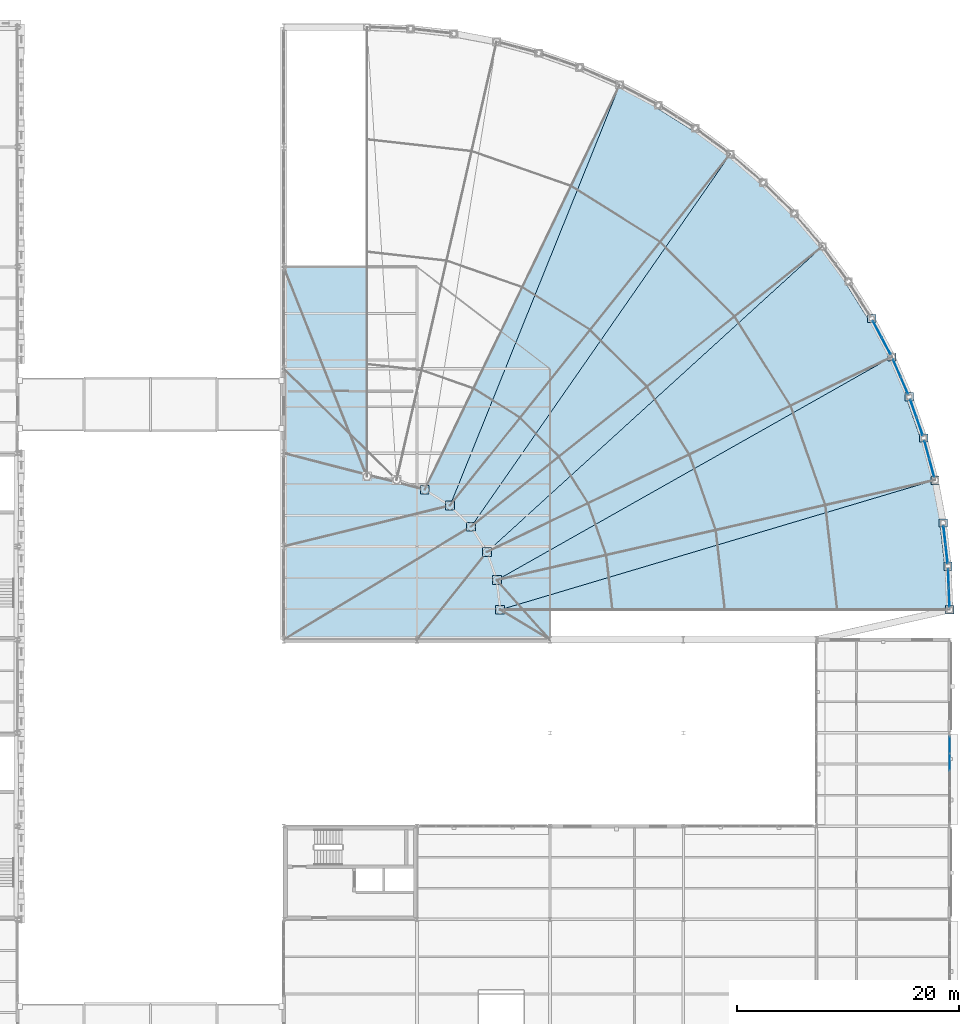
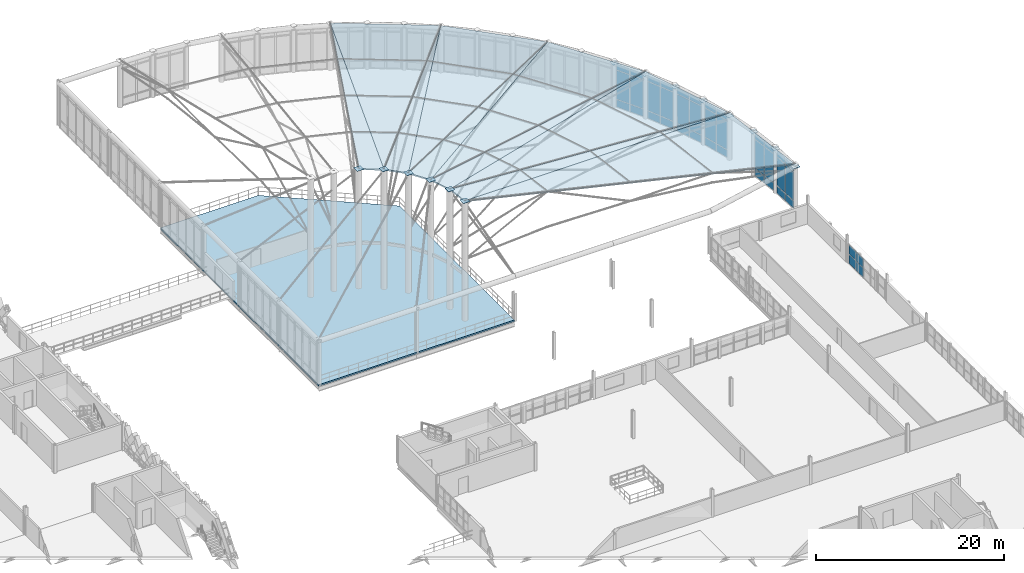
# One storey, part 72 of 101: 54 plates, 11 slabs, 8 elements without a shape of their own.
"""IFC4 building model written with IfcOpenShell, lengths in metres."""

from ifc_helpers import new_model, si_unit, direction, frame, origin, origin_2d, place, context, subcontext, project, spatial, polyline, rectangle, outline, extrude, material, layer, layer_set, type_object, element, aggregate, save


model = new_model("IFC4")

# Units and contexts
model_context = context("Model", 3, precision=1e-05, world=origin(), true_north=direction((0.0, 1.0)))
body_context = subcontext(model_context, "Body", "Model", "MODEL_VIEW")
ifc_project = project(units=[si_unit("LENGTHUNIT", "METRE"), si_unit("AREAUNIT", "SQUARE_METRE"), si_unit("VOLUMEUNIT", "CUBIC_METRE"), si_unit("PLANEANGLEUNIT", "RADIAN"), si_unit("MASSUNIT", "GRAM", prefix="KILO"), si_unit("THERMODYNAMICTEMPERATUREUNIT", "KELVIN"), si_unit("POWERUNIT", "WATT")], contexts=[model_context])

# Site, building, storey
site_placement = place(None, origin())
site = spatial("IfcSite", under=ifc_project, at=site_placement, CompositionType="ELEMENT")
building_placement = place(site_placement, origin())
building = spatial("IfcBuilding", under=site, at=building_placement, Name="Tembeka Court Mobility Hub", CompositionType="ELEMENT")
storey_placement = place(building_placement, frame((0.0, 0.0, 5.39990234375)))
storey = spatial("IfcBuildingStorey", under=building, at=storey_placement, Name="L01", CompositionType="ELEMENT", Elevation=5.39990234375)

# Curtain wall, plates
ifc_material_1 = material(Name="Anodised aluminium 6063-T6", Category="aluminium")
ifc_layer_1 = layer(ifc_material_1, 0.199951171875)
ifc_layer_set_1 = layer_set([ifc_layer_1], Name="Anodised aluminium 6063-T6")
curtain_wall_type_1 = type_object("IfcCurtainWallType", Name="CW-SYS25", PredefinedType="USERDEFINED", material=ifc_layer_set_1)
curtain_wall_1_placement = place(storey_placement, origin())
curtain_wall_1 = element("IfcCurtainWall", 1, at=curtain_wall_1_placement, inside=storey, type_object=curtain_wall_type_1, Name="Unitised curtain wall CW25 (CW-L01-046)", ObjectType="UNITISED GLAZING", PredefinedType="USERDEFINED")
ifc_material_2 = material(Name="Laminated solar-control low-E glass", Category="glass")
ifc_layer_2 = layer(ifc_material_2, 0.028076171875)
ifc_layer_set_2 = layer_set([ifc_layer_2], Name="Laminated solar-control low-E glass")
plate_type_1 = type_object("IfcPlateType", Name="PL-CW01", PredefinedType="CURTAIN_PANEL", material=ifc_layer_set_2)
plate_1_placement = place(storey_placement, frame((176.3583984375, 67.409423828125, 0.0751953125), z_axis=(0.0, 0.0, 1.0), x_axis=(-0.037405271186, 0.999300177968, 0.0)))
plate_1 = element("IfcPlate", 2, at=plate_1_placement, type_object=plate_type_1, Name="CW25 panel 1.1", PredefinedType="CURTAIN_PANEL", context=body_context, shape_type="SweptSolid", body=[
    extrude(rectangle(XDim=1.630615234375, YDim=0.028076171875, at=origin_2d()), origin(), (0.0, 0.0, 1.0), 0.9375),
])
plate_2_placement = place(storey_placement, frame((176.3583984375, 67.409423828125, 1.087646484375), z_axis=(0.0, 0.0, 1.0), x_axis=(-0.037405271186, 0.999300177968, 0.0)))
plate_2 = element("IfcPlate", 3, at=plate_2_placement, type_object=plate_type_1, Name="CW25 panel 1.2", PredefinedType="CURTAIN_PANEL", context=body_context, shape_type="SweptSolid", body=[
    extrude(rectangle(XDim=1.630615234375, YDim=0.028076171875, at=origin_2d()), origin(), (0.0, 0.0, 1.0), 3.72509765625),
])
plate_3_placement = place(storey_placement, frame((176.3583984375, 67.409423828125, 4.8876953125), z_axis=(0.0, 0.0, 1.0), x_axis=(-0.037405271186, 0.999300177968, 0.0)))
plate_3 = element("IfcPlate", 4, at=plate_3_placement, type_object=plate_type_1, Name="CW25 panel 1.3", PredefinedType="CURTAIN_PANEL", context=body_context, shape_type="SweptSolid", body=[
    extrude(rectangle(XDim=1.630615234375, YDim=0.028076171875, at=origin_2d()), origin(), (0.0, 0.0, 1.0), 0.737548828125),
])
plate_4_placement = place(storey_placement, frame((176.294677734375, 69.11376953125, 0.0751953125), z_axis=(0.0, 0.0, 1.0), x_axis=(-0.037405271186, 0.999300177968, 0.0)))
plate_4 = element("IfcPlate", 5, at=plate_4_placement, type_object=plate_type_1, Name="CW25 panel 2.1", PredefinedType="CURTAIN_PANEL", context=body_context, shape_type="SweptSolid", body=[
    extrude(rectangle(XDim=1.630615234375, YDim=0.028076171875, at=origin_2d()), origin(), (0.0, 0.0, 1.0), 0.9375),
])
plate_5_placement = place(storey_placement, frame((176.294677734375, 69.11376953125, 1.087646484375), z_axis=(0.0, 0.0, 1.0), x_axis=(-0.037405271186, 0.999300177968, 0.0)))
plate_5 = element("IfcPlate", 6, at=plate_5_placement, type_object=plate_type_1, Name="CW25 panel 2.2", PredefinedType="CURTAIN_PANEL", context=body_context, shape_type="SweptSolid", body=[
    extrude(rectangle(XDim=1.630615234375, YDim=0.028076171875, at=origin_2d()), origin(), (0.0, 0.0, 1.0), 3.72509765625),
])
plate_6_placement = place(storey_placement, frame((176.294677734375, 69.11376953125, 4.8876953125), z_axis=(0.0, 0.0, 1.0), x_axis=(-0.037405271186, 0.999300177968, 0.0)))
plate_6 = element("IfcPlate", 7, at=plate_6_placement, type_object=plate_type_1, Name="CW25 panel 2.3", PredefinedType="CURTAIN_PANEL", context=body_context, shape_type="SweptSolid", body=[
    extrude(rectangle(XDim=1.630615234375, YDim=0.028076171875, at=origin_2d()), origin(), (0.0, 0.0, 1.0), 0.737548828125),
])
aggregate(curtain_wall_1, [plate_1, plate_2, plate_3, plate_4, plate_5, plate_6])

curtain_wall_2_placement = place(storey_placement, origin())
curtain_wall_2 = element("IfcCurtainWall", 8, at=curtain_wall_2_placement, inside=storey, type_object=curtain_wall_type_1, Name="Unitised curtain wall CW25 (CW-L01-050)", ObjectType="UNITISED GLAZING", PredefinedType="USERDEFINED")
plate_7_placement = place(storey_placement, frame((174.79638671875, 79.0546875, 0.0751953125), z_axis=(0.0, 0.0, 1.0), x_axis=(-0.258828327951, 0.96592333891, 0.0)))
plate_7 = element("IfcPlate", 9, at=plate_7_placement, type_object=plate_type_1, Name="CW25 panel 1.1", PredefinedType="CURTAIN_PANEL", context=body_context, shape_type="SweptSolid", body=[
    extrude(rectangle(XDim=1.630615234375, YDim=0.028076171875, at=origin_2d()), origin(), (0.0, 0.0, 1.0), 0.9375),
])
plate_8_placement = place(storey_placement, frame((174.79638671875, 79.0546875, 1.087646484375), z_axis=(0.0, 0.0, 1.0), x_axis=(-0.258828327951, 0.96592333891, 0.0)))
plate_8 = element("IfcPlate", 10, at=plate_8_placement, type_object=plate_type_1, Name="CW25 panel 1.2", PredefinedType="CURTAIN_PANEL", context=body_context, shape_type="SweptSolid", body=[
    extrude(rectangle(XDim=1.630615234375, YDim=0.028076171875, at=origin_2d()), origin(), (0.0, 0.0, 1.0), 3.72509765625),
])
plate_9_placement = place(storey_placement, frame((174.79638671875, 79.0546875, 4.8876953125), z_axis=(0.0, 0.0, 1.0), x_axis=(-0.258828327951, 0.96592333891, 0.0)))
plate_9 = element("IfcPlate", 11, at=plate_9_placement, type_object=plate_type_1, Name="CW25 panel 1.3", PredefinedType="CURTAIN_PANEL", context=body_context, shape_type="SweptSolid", body=[
    extrude(rectangle(XDim=1.630615234375, YDim=0.028076171875, at=origin_2d()), origin(), (0.0, 0.0, 1.0), 0.737548828125),
])
plate_10_placement = place(storey_placement, frame((174.35498046875, 80.7021484375, 0.0751953125), z_axis=(0.0, 0.0, 1.0), x_axis=(-0.258828327951, 0.96592333891, 0.0)))
plate_10 = element("IfcPlate", 12, at=plate_10_placement, type_object=plate_type_1, Name="CW25 panel 2.1", PredefinedType="CURTAIN_PANEL", context=body_context, shape_type="SweptSolid", body=[
    extrude(rectangle(XDim=1.630615234375, YDim=0.028076171875, at=origin_2d()), origin(), (0.0, 0.0, 1.0), 0.9375),
])
plate_11_placement = place(storey_placement, frame((174.35498046875, 80.7021484375, 1.087646484375), z_axis=(0.0, 0.0, 1.0), x_axis=(-0.258828327951, 0.96592333891, 0.0)))
plate_11 = element("IfcPlate", 13, at=plate_11_placement, type_object=plate_type_1, Name="CW25 panel 2.2", PredefinedType="CURTAIN_PANEL", context=body_context, shape_type="SweptSolid", body=[
    extrude(rectangle(XDim=1.630615234375, YDim=0.028076171875, at=origin_2d()), origin(), (0.0, 0.0, 1.0), 3.72509765625),
])
plate_12_placement = place(storey_placement, frame((174.35498046875, 80.7021484375, 4.8876953125), z_axis=(0.0, 0.0, 1.0), x_axis=(-0.258828327951, 0.96592333891, 0.0)))
plate_12 = element("IfcPlate", 14, at=plate_12_placement, type_object=plate_type_1, Name="CW25 panel 2.3", PredefinedType="CURTAIN_PANEL", context=body_context, shape_type="SweptSolid", body=[
    extrude(rectangle(XDim=1.630615234375, YDim=0.028076171875, at=origin_2d()), origin(), (0.0, 0.0, 1.0), 0.737548828125),
])
aggregate(curtain_wall_2, [plate_7, plate_8, plate_9, plate_10, plate_11, plate_12])

curtain_wall_3_placement = place(storey_placement, origin())
curtain_wall_3 = element("IfcCurtainWall", 15, at=curtain_wall_3_placement, inside=storey, type_object=curtain_wall_type_1, Name="Unitised curtain wall CW25 (CW-L01-054)", ObjectType="UNITISED GLAZING", PredefinedType="USERDEFINED")
plate_13_placement = place(storey_placement, frame((172.326904296875, 86.498046875, 0.0751953125), z_axis=(0.0, 0.0, 1.0), x_axis=(-0.399869097757, 0.916572258286, 0.0)))
plate_13 = element("IfcPlate", 16, at=plate_13_placement, type_object=plate_type_1, Name="CW25 panel 1.1", PredefinedType="CURTAIN_PANEL", context=body_context, shape_type="SweptSolid", body=[
    extrude(rectangle(XDim=1.630615234375, YDim=0.028076171875, at=origin_2d()), origin(), (0.0, 0.0, 1.0), 0.9375),
])
plate_14_placement = place(storey_placement, frame((172.326904296875, 86.498046875, 1.087646484375), z_axis=(0.0, 0.0, 1.0), x_axis=(-0.399869097757, 0.916572258286, 0.0)))
plate_14 = element("IfcPlate", 17, at=plate_14_placement, type_object=plate_type_1, Name="CW25 panel 1.2", PredefinedType="CURTAIN_PANEL", context=body_context, shape_type="SweptSolid", body=[
    extrude(rectangle(XDim=1.630615234375, YDim=0.028076171875, at=origin_2d()), origin(), (0.0, 0.0, 1.0), 3.72509765625),
])
plate_15_placement = place(storey_placement, frame((172.326904296875, 86.498046875, 4.8876953125), z_axis=(0.0, 0.0, 1.0), x_axis=(-0.399869097757, 0.916572258286, 0.0)))
plate_15 = element("IfcPlate", 18, at=plate_15_placement, type_object=plate_type_1, Name="CW25 panel 1.3", PredefinedType="CURTAIN_PANEL", context=body_context, shape_type="SweptSolid", body=[
    extrude(rectangle(XDim=1.630615234375, YDim=0.028076171875, at=origin_2d()), origin(), (0.0, 0.0, 1.0), 0.737548828125),
])
plate_16_placement = place(storey_placement, frame((171.64501953125, 88.061279296875, 0.0751953125), z_axis=(0.0, 0.0, 1.0), x_axis=(-0.399869097757, 0.916572258286, 0.0)))
plate_16 = element("IfcPlate", 19, at=plate_16_placement, type_object=plate_type_1, Name="CW25 panel 2.1", PredefinedType="CURTAIN_PANEL", context=body_context, shape_type="SweptSolid", body=[
    extrude(rectangle(XDim=1.630615234375, YDim=0.028076171875, at=origin_2d()), origin(), (0.0, 0.0, 1.0), 0.9375),
])
plate_17_placement = place(storey_placement, frame((171.64501953125, 88.061279296875, 1.087646484375), z_axis=(0.0, 0.0, 1.0), x_axis=(-0.399869097757, 0.916572258286, 0.0)))
plate_17 = element("IfcPlate", 20, at=plate_17_placement, type_object=plate_type_1, Name="CW25 panel 2.2", PredefinedType="CURTAIN_PANEL", context=body_context, shape_type="SweptSolid", body=[
    extrude(rectangle(XDim=1.630615234375, YDim=0.028076171875, at=origin_2d()), origin(), (0.0, 0.0, 1.0), 3.72509765625),
])
plate_18_placement = place(storey_placement, frame((171.64501953125, 88.061279296875, 4.8876953125), z_axis=(0.0, 0.0, 1.0), x_axis=(-0.399869097757, 0.916572258286, 0.0)))
plate_18 = element("IfcPlate", 21, at=plate_18_placement, type_object=plate_type_1, Name="CW25 panel 2.3", PredefinedType="CURTAIN_PANEL", context=body_context, shape_type="SweptSolid", body=[
    extrude(rectangle(XDim=1.630615234375, YDim=0.028076171875, at=origin_2d()), origin(), (0.0, 0.0, 1.0), 0.737548828125),
])
aggregate(curtain_wall_3, [plate_13, plate_14, plate_15, plate_16, plate_17, plate_18])

ifc_layer_3 = layer(ifc_material_1, 0.159912109375)
ifc_layer_set_3 = layer_set([ifc_layer_3], Name="Anodised aluminium 6063-T6")
curtain_wall_type_2 = type_object("IfcCurtainWallType", Name="CW-SYS45", PredefinedType="USERDEFINED", material=ifc_layer_set_3)
curtain_wall_4_placement = place(storey_placement, origin())
curtain_wall_4 = element("IfcCurtainWall", 22, at=curtain_wall_4_placement, inside=storey, type_object=curtain_wall_type_2, Name="Unitised curtain wall CW45 (CW-L01-113)", ObjectType="UNITISED GLAZING", PredefinedType="USERDEFINED")
plate_19_placement = place(storey_placement, frame((176.39990234375, 52.568115234375, 0.065185546875), z_axis=(0.0, 0.0, 1.0), x_axis=(0.0, 1.0, 0.0)))
plate_19 = element("IfcPlate", 23, at=plate_19_placement, type_object=plate_type_1, Name="CW45 panel 4.1", PredefinedType="CURTAIN_PANEL", context=body_context, shape_type="SweptSolid", body=[
    extrude(rectangle(XDim=1.5029296875, YDim=0.028076171875, at=origin_2d()), origin(), (0.0, 0.0, 1.0), 1.169921875),
])
plate_20_placement = place(storey_placement, frame((176.39990234375, 52.568115234375, 1.300048828125), z_axis=(0.0, 0.0, 1.0), x_axis=(0.0, 1.0, 0.0)))
plate_20 = element("IfcPlate", 24, at=plate_20_placement, type_object=plate_type_1, Name="CW45 panel 4.2", PredefinedType="CURTAIN_PANEL", context=body_context, shape_type="SweptSolid", body=[
    extrude(rectangle(XDim=1.5029296875, YDim=0.028076171875, at=origin_2d()), origin(), (0.0, 0.0, 1.0), 1.169921875),
])
plate_21_placement = place(storey_placement, frame((176.39990234375, 54.11962890625, 0.065185546875), z_axis=(0.0, 0.0, 1.0), x_axis=(0.0, 1.0, 0.0)))
plate_21 = element("IfcPlate", 25, at=plate_21_placement, type_object=plate_type_1, Name="CW45 panel 5.1", PredefinedType="CURTAIN_PANEL", context=body_context, shape_type="SweptSolid", body=[
    extrude(rectangle(XDim=1.470458984375, YDim=0.028076171875, at=origin_2d()), origin(), (0.0, 0.0, 1.0), 1.169921875),
])
plate_22_placement = place(storey_placement, frame((176.39990234375, 54.11962890625, 1.300048828125), z_axis=(0.0, 0.0, 1.0), x_axis=(0.0, 1.0, 0.0)))
plate_22 = element("IfcPlate", 26, at=plate_22_placement, type_object=plate_type_1, Name="CW45 panel 5.2", PredefinedType="CURTAIN_PANEL", context=body_context, shape_type="SweptSolid", body=[
    extrude(rectangle(XDim=1.470458984375, YDim=0.028076171875, at=origin_2d()), origin(), (0.0, 0.0, 1.0), 1.169921875),
])
aggregate(curtain_wall_4, [plate_19, plate_20, plate_21, plate_22])

curtain_wall_5_placement = place(storey_placement, origin())
curtain_wall_5 = element("IfcCurtainWall", 27, at=curtain_wall_5_placement, inside=storey, type_object=curtain_wall_type_1, Name="Unitised curtain wall CW25 (CW-L01-048)", ObjectType="UNITISED GLAZING", PredefinedType="USERDEFINED")
ifc_material_3 = material(Name="Insulated aluminium spandrel panel", Category="aluminium")
ifc_layer_4 = layer(ifc_material_3, 0.052001953125)
ifc_layer_set_4 = layer_set([ifc_layer_4], Name="Insulated aluminium spandrel panel")
plate_type_2 = type_object("IfcPlateType", Name="PL-CW02", PredefinedType="CURTAIN_PANEL", material=ifc_layer_set_4)
plate_23_placement = place(storey_placement, frame((176.12890625, 71.32666015625, 0.0751953125), z_axis=(0.0, 0.0, 1.0), x_axis=(-0.111986683735, 0.993709707443, 0.0)))
plate_23 = element("IfcPlate", 28, at=plate_23_placement, type_object=plate_type_2, Name="CW25 panel 1.1", PredefinedType="CURTAIN_PANEL", context=body_context, shape_type="SweptSolid", body=[
    extrude(rectangle(XDim=1.630615234375, YDim=0.052001953125, at=origin_2d()), origin(), (0.0, 0.0, 1.0), 0.9375),
])
plate_24_placement = place(storey_placement, frame((176.12890625, 71.32666015625, 1.087646484375), z_axis=(0.0, 0.0, 1.0), x_axis=(-0.111986683735, 0.993709707443, 0.0)))
plate_24 = element("IfcPlate", 29, at=plate_24_placement, type_object=plate_type_2, Name="CW25 panel 1.2", PredefinedType="CURTAIN_PANEL", context=body_context, shape_type="SweptSolid", body=[
    extrude(rectangle(XDim=1.630615234375, YDim=0.052001953125, at=origin_2d()), origin(), (0.0, 0.0, 1.0), 3.72509765625),
])
plate_25_placement = place(storey_placement, frame((176.12890625, 71.32666015625, 4.8876953125), z_axis=(0.0, 0.0, 1.0), x_axis=(-0.111986683735, 0.993709707443, 0.0)))
plate_25 = element("IfcPlate", 30, at=plate_25_placement, type_object=plate_type_2, Name="CW25 panel 1.3", PredefinedType="CURTAIN_PANEL", context=body_context, shape_type="SweptSolid", body=[
    extrude(rectangle(XDim=1.630615234375, YDim=0.052001953125, at=origin_2d()), origin(), (0.0, 0.0, 1.0), 0.737548828125),
])
plate_26_placement = place(storey_placement, frame((175.93798828125, 73.021484375, 0.0751953125), z_axis=(0.0, 0.0, 1.0), x_axis=(-0.111986683735, 0.993709707443, 0.0)))
plate_26 = element("IfcPlate", 31, at=plate_26_placement, type_object=plate_type_2, Name="CW25 panel 2.1", PredefinedType="CURTAIN_PANEL", context=body_context, shape_type="SweptSolid", body=[
    extrude(rectangle(XDim=1.630615234375, YDim=0.052001953125, at=origin_2d()), origin(), (0.0, 0.0, 1.0), 0.9375),
])
plate_27_placement = place(storey_placement, frame((175.93798828125, 73.021484375, 1.087646484375), z_axis=(0.0, 0.0, 1.0), x_axis=(-0.111986683735, 0.993709707443, 0.0)))
plate_27 = element("IfcPlate", 32, at=plate_27_placement, type_object=plate_type_2, Name="CW25 panel 2.2", PredefinedType="CURTAIN_PANEL", context=body_context, shape_type="SweptSolid", body=[
    extrude(rectangle(XDim=1.630615234375, YDim=0.052001953125, at=origin_2d()), origin(), (0.0, 0.0, 1.0), 3.72509765625),
])
plate_28_placement = place(storey_placement, frame((175.93798828125, 73.021484375, 4.8876953125), z_axis=(0.0, 0.0, 1.0), x_axis=(-0.111986683735, 0.993709707443, 0.0)))
plate_28 = element("IfcPlate", 33, at=plate_28_placement, type_object=plate_type_2, Name="CW25 panel 2.3", PredefinedType="CURTAIN_PANEL", context=body_context, shape_type="SweptSolid", body=[
    extrude(rectangle(XDim=1.630615234375, YDim=0.052001953125, at=origin_2d()), origin(), (0.0, 0.0, 1.0), 0.737548828125),
])
aggregate(curtain_wall_5, [plate_23, plate_24, plate_25, plate_26, plate_27, plate_28])

curtain_wall_6_placement = place(storey_placement, origin())
curtain_wall_6 = element("IfcCurtainWall", 34, at=curtain_wall_6_placement, inside=storey, type_object=curtain_wall_type_1, Name="Unitised curtain wall CW25 (CW-L01-052)", ObjectType="UNITISED GLAZING", PredefinedType="USERDEFINED")
plate_29_placement = place(storey_placement, frame((173.700927734375, 82.822509765625, 0.0751953125), z_axis=(0.0, 0.0, 1.0), x_axis=(-0.330263534352, 0.943888763508, 0.0)))
plate_29 = element("IfcPlate", 35, at=plate_29_placement, type_object=plate_type_2, Name="CW25 panel 1.1", PredefinedType="CURTAIN_PANEL", context=body_context, shape_type="SweptSolid", body=[
    extrude(rectangle(XDim=1.630615234375, YDim=0.052001953125, at=origin_2d()), origin(), (0.0, 0.0, 1.0), 0.9375),
])
plate_30_placement = place(storey_placement, frame((173.700927734375, 82.822509765625, 1.087646484375), z_axis=(0.0, 0.0, 1.0), x_axis=(-0.330263534352, 0.943888763508, 0.0)))
plate_30 = element("IfcPlate", 36, at=plate_30_placement, type_object=plate_type_2, Name="CW25 panel 1.2", PredefinedType="CURTAIN_PANEL", context=body_context, shape_type="SweptSolid", body=[
    extrude(rectangle(XDim=1.630615234375, YDim=0.052001953125, at=origin_2d()), origin(), (0.0, 0.0, 1.0), 3.72509765625),
])
plate_31_placement = place(storey_placement, frame((173.700927734375, 82.822509765625, 4.8876953125), z_axis=(0.0, 0.0, 1.0), x_axis=(-0.330263534352, 0.943888763508, 0.0)))
plate_31 = element("IfcPlate", 37, at=plate_31_placement, type_object=plate_type_2, Name="CW25 panel 1.3", PredefinedType="CURTAIN_PANEL", context=body_context, shape_type="SweptSolid", body=[
    extrude(rectangle(XDim=1.630615234375, YDim=0.052001953125, at=origin_2d()), origin(), (0.0, 0.0, 1.0), 0.737548828125),
])
plate_32_placement = place(storey_placement, frame((173.1376953125, 84.432373046875, 0.0751953125), z_axis=(0.0, 0.0, 1.0), x_axis=(-0.330263534352, 0.943888763508, 0.0)))
plate_32 = element("IfcPlate", 38, at=plate_32_placement, type_object=plate_type_2, Name="CW25 panel 2.1", PredefinedType="CURTAIN_PANEL", context=body_context, shape_type="SweptSolid", body=[
    extrude(rectangle(XDim=1.630615234375, YDim=0.052001953125, at=origin_2d()), origin(), (0.0, 0.0, 1.0), 0.9375),
])
plate_33_placement = place(storey_placement, frame((173.1376953125, 84.432373046875, 1.087646484375), z_axis=(0.0, 0.0, 1.0), x_axis=(-0.330263534352, 0.943888763508, 0.0)))
plate_33 = element("IfcPlate", 39, at=plate_33_placement, type_object=plate_type_2, Name="CW25 panel 2.2", PredefinedType="CURTAIN_PANEL", context=body_context, shape_type="SweptSolid", body=[
    extrude(rectangle(XDim=1.630615234375, YDim=0.052001953125, at=origin_2d()), origin(), (0.0, 0.0, 1.0), 3.72509765625),
])
plate_34_placement = place(storey_placement, frame((173.1376953125, 84.432373046875, 4.8876953125), z_axis=(0.0, 0.0, 1.0), x_axis=(-0.330263534352, 0.943888763508, 0.0)))
plate_34 = element("IfcPlate", 40, at=plate_34_placement, type_object=plate_type_2, Name="CW25 panel 2.3", PredefinedType="CURTAIN_PANEL", context=body_context, shape_type="SweptSolid", body=[
    extrude(rectangle(XDim=1.630615234375, YDim=0.052001953125, at=origin_2d()), origin(), (0.0, 0.0, 1.0), 0.737548828125),
])
aggregate(curtain_wall_6, [plate_29, plate_30, plate_31, plate_32, plate_33, plate_34])

curtain_wall_7_placement = place(storey_placement, origin())
curtain_wall_7 = element("IfcCurtainWall", 41, at=curtain_wall_7_placement, inside=storey, type_object=curtain_wall_type_1, Name="Unitised curtain wall CW25 (CW-L01-056)", ObjectType="UNITISED GLAZING", PredefinedType="USERDEFINED")
plate_35_placement = place(storey_placement, frame((170.68212890625, 90.060546875, 0.0751953125), z_axis=(0.0, 0.0, 1.0), x_axis=(-0.467282662225, 0.884107976202, 0.0)))
plate_35 = element("IfcPlate", 42, at=plate_35_placement, type_object=plate_type_2, Name="CW25 panel 1.1", PredefinedType="CURTAIN_PANEL", context=body_context, shape_type="SweptSolid", body=[
    extrude(rectangle(XDim=1.630615234375, YDim=0.052001953125, at=origin_2d()), origin(), (0.0, 0.0, 1.0), 0.9375),
])
plate_36_placement = place(storey_placement, frame((170.68212890625, 90.060546875, 1.087646484375), z_axis=(0.0, 0.0, 1.0), x_axis=(-0.467282662225, 0.884107976202, 0.0)))
plate_36 = element("IfcPlate", 43, at=plate_36_placement, type_object=plate_type_2, Name="CW25 panel 1.2", PredefinedType="CURTAIN_PANEL", context=body_context, shape_type="SweptSolid", body=[
    extrude(rectangle(XDim=1.630615234375, YDim=0.052001953125, at=origin_2d()), origin(), (0.0, 0.0, 1.0), 3.72509765625),
])
plate_37_placement = place(storey_placement, frame((170.68212890625, 90.060546875, 4.8876953125), z_axis=(0.0, 0.0, 1.0), x_axis=(-0.467282662225, 0.884107976202, 0.0)))
plate_37 = element("IfcPlate", 44, at=plate_37_placement, type_object=plate_type_2, Name="CW25 panel 1.3", PredefinedType="CURTAIN_PANEL", context=body_context, shape_type="SweptSolid", body=[
    extrude(rectangle(XDim=1.630615234375, YDim=0.052001953125, at=origin_2d()), origin(), (0.0, 0.0, 1.0), 0.737548828125),
])
plate_38_placement = place(storey_placement, frame((169.885009765625, 91.568359375, 0.0751953125), z_axis=(0.0, 0.0, 1.0), x_axis=(-0.467282662225, 0.884107976202, 0.0)))
plate_38 = element("IfcPlate", 45, at=plate_38_placement, type_object=plate_type_2, Name="CW25 panel 2.1", PredefinedType="CURTAIN_PANEL", context=body_context, shape_type="SweptSolid", body=[
    extrude(rectangle(XDim=1.630615234375, YDim=0.052001953125, at=origin_2d()), origin(), (0.0, 0.0, 1.0), 0.9375),
])
plate_39_placement = place(storey_placement, frame((169.885009765625, 91.568359375, 1.087646484375), z_axis=(0.0, 0.0, 1.0), x_axis=(-0.467282662225, 0.884107976202, 0.0)))
plate_39 = element("IfcPlate", 46, at=plate_39_placement, type_object=plate_type_2, Name="CW25 panel 2.2", PredefinedType="CURTAIN_PANEL", context=body_context, shape_type="SweptSolid", body=[
    extrude(rectangle(XDim=1.630615234375, YDim=0.052001953125, at=origin_2d()), origin(), (0.0, 0.0, 1.0), 3.72509765625),
])
plate_40_placement = place(storey_placement, frame((169.885009765625, 91.568359375, 4.8876953125), z_axis=(0.0, 0.0, 1.0), x_axis=(-0.467282662225, 0.884107976202, 0.0)))
plate_40 = element("IfcPlate", 47, at=plate_40_placement, type_object=plate_type_2, Name="CW25 panel 2.3", PredefinedType="CURTAIN_PANEL", context=body_context, shape_type="SweptSolid", body=[
    extrude(rectangle(XDim=1.630615234375, YDim=0.052001953125, at=origin_2d()), origin(), (0.0, 0.0, 1.0), 0.737548828125),
])
aggregate(curtain_wall_7, [plate_35, plate_36, plate_37, plate_38, plate_39, plate_40])

# Plates
ifc_material_4 = material(Name="Steel S355", Category="steel")
ifc_layer_5 = layer(ifc_material_4, 0.01806640625)
ifc_layer_set_5 = layer_set([ifc_layer_5], Name="Steel S355")
plate_type_3 = type_object("IfcPlateType", Name="PL-MCP01", PredefinedType="USERDEFINED", material=ifc_layer_set_5)
for number, where, z_axis, x_axis, name in (
    (48, (129.106689453125, 77.111572265625, 15.400146484375), (0.0, 0.0, 1.0), (1.0, 0.0, 0.0), "Concourse roof mast M6 head cap plate MCP01"),
    (49, (131.3818359375, 75.681884765625, 15.400146484375), (0.0, 0.0, 1.0), (1.0, 0.0, 0.0), "Concourse roof mast M5 head cap plate MCP01"),
    (50, (133.281982421875, 73.781982421875, 15.400146484375), (0.0, 0.0, 1.0), (1.0, 0.0, 0.0), "Concourse roof mast M4 head cap plate MCP01"),
    (51, (134.711669921875, 71.506591796875, 15.400146484375), (0.0, 0.0, 1.0), (1.0, 0.0, 0.0), "Concourse roof mast M3 head cap plate MCP01"),
    (52, (135.59912109375, 68.97021484375, 15.400146484375), (0.0, 0.0, 1.0), (1.0, 0.0, 0.0), "Concourse roof mast M2 head cap plate MCP01"),
    (53, (135.89990234375, 66.300048828125, 15.400146484375), (0.0, 0.0, 1.0), (1.0, 0.0, 0.0), "Concourse roof mast M1 head cap plate MCP01"),
):
    element("IfcPlate", number, at=place(storey_placement, frame(where, z_axis=z_axis, x_axis=x_axis)), inside=storey, type_object=plate_type_3, Name=name, ObjectType="BASE PLATE", PredefinedType="USERDEFINED", context=body_context, shape_type="SweptSolid", body=[
        extrude(rectangle(XDim=0.800048828125, YDim=0.800048828125, at=origin_2d()), origin(), (0.0, 0.0, 1.0), 0.01806640625),
    ])
ifc_layer_6 = layer(ifc_material_4, 0.031982421875)
ifc_layer_set_6 = layer_set([ifc_layer_6], Name="Steel S355")
plate_type_4 = type_object("IfcPlateType", Name="PL-NDP01", PredefinedType="USERDEFINED", material=ifc_layer_set_6)
for number, where, z_axis, x_axis, name in (
    (54, (176.39990234375, 66.300048828125, 5.67919921875), (0.0, 0.0, 1.0), (1.0, 0.0, 0.0), "Ring-beam cable anchorage node plate NDP01-01"),
    (55, (176.253173828125, 70.223388671875, 5.67919921875), (0.0, 0.0, 1.0), (1.0, 0.0, 0.0), "Ring-beam cable anchorage node plate NDP01-02"),
    (56, (175.813720703125, 74.124755859375, 5.67919921875), (0.0, 0.0, 1.0), (1.0, 0.0, 0.0), "Ring-beam cable anchorage node plate NDP01-03"),
    (57, (175.083740234375, 77.982421875, 5.67919921875), (0.0, 0.0, 1.0), (1.0, 0.0, 0.0), "Ring-beam cable anchorage node plate NDP01-04"),
    (58, (174.067626953125, 81.774658203125, 5.67919921875), (0.0, 0.0, 1.0), (1.0, 0.0, 0.0), "Ring-beam cable anchorage node plate NDP01-05"),
    (59, (172.77099609375, 85.48046875, 5.67919921875), (0.0, 0.0, 1.0), (1.0, 0.0, 0.0), "Ring-beam cable anchorage node plate NDP01-06"),
    (60, (171.200927734375, 89.078857421875, 5.67919921875), (0.0, 0.0, 1.0), (1.0, 0.0, 0.0), "Ring-beam cable anchorage node plate NDP01-07"),
    (61, (169.3662109375, 92.550048828125, 5.67919921875), (0.0, 0.0, 1.0), (1.0, 0.0, 0.0), "Ring-beam cable anchorage node plate NDP01-08"),
):
    element("IfcPlate", number, at=place(storey_placement, frame(where, z_axis=z_axis, x_axis=x_axis)), inside=storey, type_object=plate_type_4, Name=name, ObjectType="GUSSET PLATE", PredefinedType="USERDEFINED", context=body_context, shape_type="SweptSolid", body=[
        extrude(rectangle(XDim=0.75, YDim=0.75, at=origin_2d()), origin(), (0.0, 0.0, 1.0), 0.031982421875),
    ])

# Slab
ifc_material_5 = material(Name="Concrete C40/50", Category="concrete")
ifc_layer_7 = layer(ifc_material_5, 0.18994140625)
ifc_layer_set_7 = layer_set([ifc_layer_7], Name="Concrete C40/50")
slab_type_1 = type_object("IfcSlabType", Name="SL-FL03", PredefinedType="FLOOR", material=ifc_layer_set_7)
slab_1_placement = place(storey_placement, frame((0.0, 0.0, -0.18994140625)))
element("IfcSlab", 62, at=slab_1_placement, inside=storey, type_object=slab_type_1, Name="L01 concourse passenger waiting mezzanine slab", PredefinedType="FLOOR", context=body_context, shape_type="SweptSolid", body=[
    extrude(outline(polyline([(116.39990234375, 63.60009765625), (140.39990234375, 63.60009765625), (140.39990234375, 88.0), (128.39990234375, 97.199951171875), (116.39990234375, 97.199951171875), (116.39990234375, 63.60009765625)])), origin(), (0.0, 0.0, 1.0), 0.18994140625),
])

# Roof, slabs
ifc_layer_8 = layer(ifc_material_4, 0.14990234375)
ifc_layer_set_8 = layer_set([ifc_layer_8], Name="Steel S355")
roof_type = type_object("IfcRoofType", Name="RF-CABLE01", PredefinedType="FREEFORM", material=ifc_layer_set_8)
roof_placement = place(storey_placement, origin())
roof = element("IfcRoof", 63, at=roof_placement, inside=storey, type_object=roof_type, Name="Bus and taxi concourse cable-net roof assembly", PredefinedType="FREEFORM")
ifc_material_6 = material(Name="Insulated acoustic steel-concrete composite deck C40/50", Category="concrete")
ifc_layer_9 = layer(ifc_material_6, 0.14990234375)
ifc_layer_set_9 = layer_set([ifc_layer_9], Name="Insulated acoustic steel-concrete composite deck C40/50")
slab_type_2 = type_object("IfcSlabType", Name="SL-RF02", PredefinedType="ROOF", material=ifc_layer_set_9)
slab_2_placement = place(storey_placement, frame((135.89990234375, 66.300048828125, 15.400146484375), z_axis=(0.22601898476, 0.025463801108, 0.973790025294), x_axis=(0.974105884147, 0.0, -0.226092296352)))
slab_2 = element("IfcSlab", 64, at=slab_2_placement, type_object=slab_type_2, Name="Concourse cable-net acoustic roof facet 1A", PredefinedType="ROOF", context=body_context, shape_type="SweptSolid", body=[
    extrude(outline(polyline([(0.0, 0.0), (41.57658901266082, 5.551115123125783e-17), (40.29450775742713, 11.686162345247663), (0.0, 0.0)])), origin(), (0.0, 0.0, -1.0), 0.14990234375),
])
slab_3_placement = place(storey_placement, frame((135.89990234375, 66.300048828125, 15.400146484375), z_axis=(0.226020062469, 0.025460063725, 0.973789872876), x_axis=(0.933951377471, 0.27845073343, -0.224053595312)))
slab_3 = element("IfcSlab", 65, at=slab_3_placement, type_object=slab_type_2, Name="Concourse cable-net acoustic roof facet 1B", PredefinedType="ROOF", context=body_context, shape_type="SweptSolid", body=[
    extrude(outline(polyline([(0.0, 0.0), (41.95490133194021, -1.4432899320127035e-15), (0.46259462267652135, 2.646934477168072), (0.0, 0.0)])), origin(), (0.0, 0.0, -1.0), 0.14990234375),
])
slab_4_placement = place(storey_placement, frame((135.59912109375, 68.97021484375, 15.400146484375), z_axis=(0.214685061222, 0.075121586184, 0.973790055288), x_axis=(0.949682566485, 0.216761262725, -0.226091967782)))
slab_4 = element("IfcSlab", 66, at=slab_4_placement, type_object=slab_type_2, Name="Concourse cable-net acoustic roof facet 2A", PredefinedType="ROOF", context=body_context, shape_type="SweptSolid", body=[
    extrude(outline(polyline([(0.0, 0.0), (41.5766494342922, 1.1102230246251565e-15), (40.29448747499708, 11.686024793155449), (0.0, 0.0)])), origin(), (0.0, 0.0, -1.0), 0.14990234375),
])
slab_5_placement = place(storey_placement, frame((135.59912109375, 68.97021484375, 15.400146484375), z_axis=(0.21468764628, 0.075116911563, 0.973789845979), x_axis=(0.848574410913, 0.479292517434, -0.224053903949)))
slab_5 = element("IfcSlab", 67, at=slab_5_placement, type_object=slab_type_2, Name="Concourse cable-net acoustic roof facet 2B", PredefinedType="ROOF", context=body_context, shape_type="SweptSolid", body=[
    extrude(outline(polyline([(0.0, 0.0), (41.95484353848718, 2.3869795029440866e-15), (0.4625981396376898, 2.6470324123458933), (0.0, 0.0)])), origin(), (0.0, 0.0, -1.0), 0.14990234375),
])
slab_6_placement = place(storey_placement, frame((134.711669921875, 71.506591796875, 15.400146484375), z_axis=(0.192587327599, 0.121008872189, 0.973790005134), x_axis=(0.877639409046, 0.422648026934, -0.226092266603)))
slab_6 = element("IfcSlab", 68, at=slab_6_placement, type_object=slab_type_2, Name="Concourse cable-net acoustic roof facet 3A", PredefinedType="ROOF", context=body_context, shape_type="SweptSolid", body=[
    extrude(outline(polyline([(0.0, 0.0), (41.576594483319056, -3.2751579226442118e-15), (40.29446166637859, 11.686130186368866), (0.0, 0.0)])), origin(), (0.0, 0.0, -1.0), 0.14990234375),
])
slab_7_placement = place(storey_placement, frame((134.711669921875, 71.506591796875, 15.400146484375), z_axis=(0.192588021604, 0.121008095978, 0.973789964337), x_axis=(0.720646611882, 0.656100845787, -0.224053879549)))
slab_7 = element("IfcSlab", 69, at=slab_7_placement, type_object=slab_type_2, Name="Concourse cable-net acoustic roof facet 3B", PredefinedType="ROOF", context=body_context, shape_type="SweptSolid", body=[
    extrude(outline(polyline([(0.0, 0.0), (41.95484810741203, 9.43689570931383e-16), (0.46258626063273556, 2.647153715874461), (0.0, 0.0)])), origin(), (0.0, 0.0, -1.0), 0.14990234375),
])
slab_8_placement = place(storey_placement, frame((133.281982421875, 73.781982421875, 15.400146484375), z_axis=(0.16083077629, 0.16083077629, 0.973789978792), x_axis=(0.761589270384, 0.607341855606, -0.226092135343)))
slab_8 = element("IfcSlab", 70, at=slab_8_placement, type_object=slab_type_2, Name="Concourse cable-net acoustic roof facet 4A", PredefinedType="ROOF", context=body_context, shape_type="SweptSolid", body=[
    extrude(outline(polyline([(0.0, 0.0), (41.576618621013, 1.27675647831893e-15), (40.294361669550796, 11.686204064572317), (0.0, 0.0)])), origin(), (0.0, 0.0, -1.0), 0.14990234375),
])
slab_9_placement = place(storey_placement, frame((133.281982421875, 73.781982421875, 15.400146484375), z_axis=(0.160818685356, 0.160839350825, 0.973790559446), x_axis=(0.556583122409, 0.800009316399, -0.22405428254)))
slab_9 = element("IfcSlab", 71, at=slab_9_placement, type_object=slab_type_2, Name="Concourse cable-net acoustic roof facet 4B", PredefinedType="ROOF", context=body_context, shape_type="SweptSolid", body=[
    extrude(outline(polyline([(0.0, 0.0), (41.954772646212625, -2.1649348980190553e-15), (0.4623501119411302, 2.646963912080677), (0.0, 0.0)])), origin(), (0.0, 0.0, -1.0), 0.14990234375),
])
slab_10_placement = place(storey_placement, frame((131.3818359375, 75.681884765625, 15.400146484375), z_axis=(0.121008536425, 0.192586793225, 0.973790152542), x_axis=(0.607345561658, 0.761586554291, -0.22609132902)))
slab_10 = element("IfcSlab", 72, at=slab_10_placement, type_object=slab_type_2, Name="Concourse cable-net acoustic roof facet 5A", PredefinedType="ROOF", context=body_context, shape_type="SweptSolid", body=[
    extrude(outline(polyline([(0.0, 0.0), (41.57676689828561, 5.467848396278896e-15), (40.29448793073483, 11.686114150666782), (0.0, 0.0)])), origin(), (0.0, 0.0, -1.0), 0.14990234375),
])
slab_11_placement = place(storey_placement, frame((131.3818359375, 75.681884765625, 15.400146484375), z_axis=(0.121017879051, 0.192582926038, 0.973789756338), x_axis=(0.364608913201, 0.90380321373, -0.224053768693)))
slab_11 = element("IfcSlab", 73, at=slab_11_placement, type_object=slab_type_2, Name="Concourse cable-net acoustic roof facet 5B", PredefinedType="ROOF", context=body_context, shape_type="SweptSolid", body=[
    extrude(outline(polyline([(0.0, 0.0), (41.95486886575323, 2.4424906541753444e-15), (0.4626174700893777, 2.6469384105770724), (0.0, 0.0)])), origin(), (0.0, 0.0, -1.0), 0.14990234375),
])
aggregate(roof, [slab_2, slab_3, slab_4, slab_5, slab_6, slab_7, slab_8, slab_9, slab_10, slab_11])

save(model, "model.ifc")
